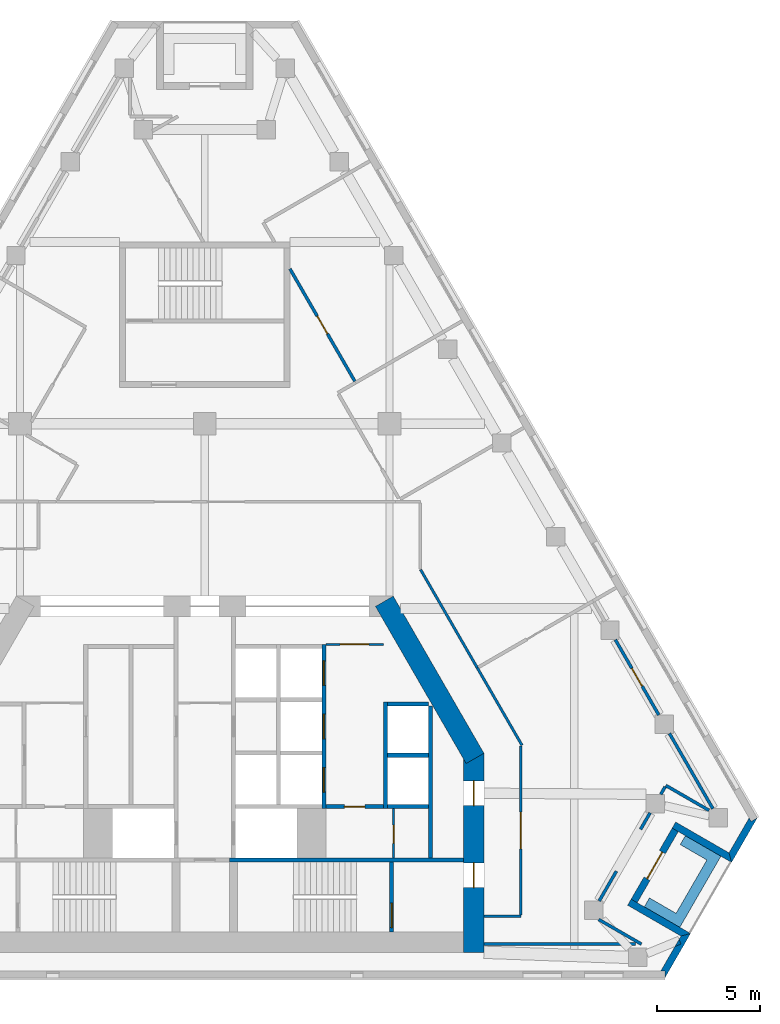
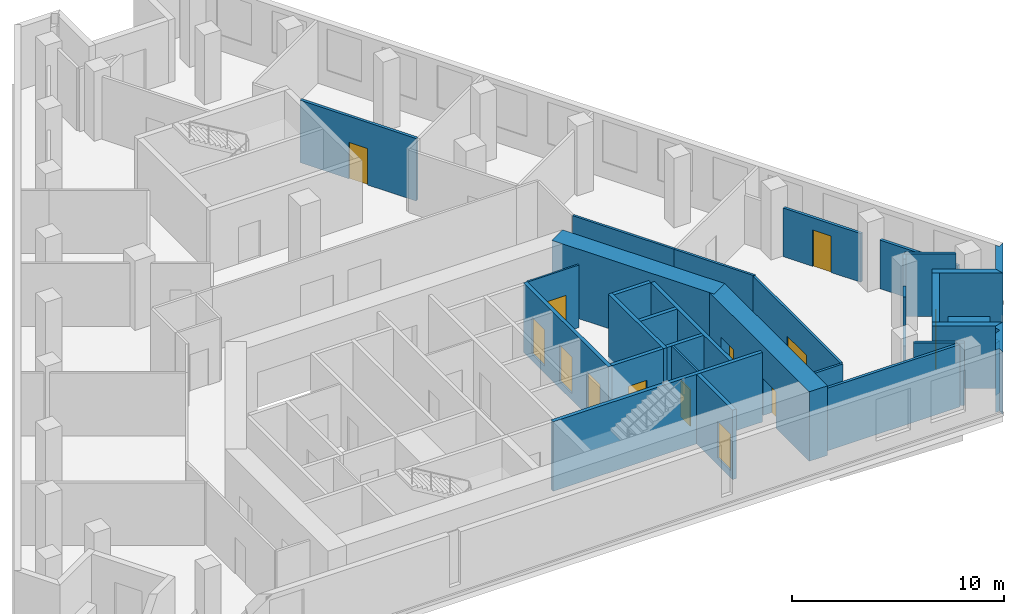
# One storey, part 5 of 8: 33 walls, 13 doors, 13 openings.
"""IFC4 building model written with IfcOpenShell, lengths in metres."""

from ifc_helpers import new_model, si_unit, direction, frame, frame_2d, origin, place, context, subcontext, project, spatial, polyline, rectangle, outline, extrude, material, layer, layer_set, type_object, element, fill, save


model = new_model("IFC4")

# Units and contexts
model_context = context("Model", 3, precision=1e-05, world=origin(), true_north=direction((0.0, 1.0)))
body_context = subcontext(model_context, "Body", "Model", "MODEL_VIEW")
ifc_project = project(units=[si_unit("LENGTHUNIT", "METRE"), si_unit("AREAUNIT", "SQUARE_METRE"), si_unit("VOLUMEUNIT", "CUBIC_METRE"), si_unit("PLANEANGLEUNIT", "RADIAN"), si_unit("MASSUNIT", "GRAM", prefix="KILO")], contexts=[model_context])

# Site, building, storey
site_placement = place(None, origin())
site = spatial("IfcSite", under=ifc_project, at=site_placement, CompositionType="ELEMENT")
building_placement = place(site_placement, origin())
building = spatial("IfcBuilding", under=site, at=building_placement, Name="Fogline Exchange Tower", CompositionType="ELEMENT")
storey_placement = place(building_placement, frame((0.0, 0.0, 223.5)))
storey = spatial("IfcBuildingStorey", under=building, at=storey_placement, Name="L50", CompositionType="ELEMENT", Elevation=223.5)

# Wall, opening, door
ifc_material_1 = material(Name="Blockwork partition", Category="masonry")
ifc_layer_1 = layer(ifc_material_1, 0.10009765625)
ifc_layer_set_1 = layer_set([ifc_layer_1], Name="CW10")
wall_type_1 = type_object("IfcWallType", Name="CW10", PredefinedType="PARTITIONING", material=ifc_layer_set_1)
wall_1_placement = place(storey_placement, frame((5.89990234375, 16.25, 0.0), z_axis=(0.0, 0.0, 1.0), x_axis=(1.0, 0.0, 0.0)))
wall_1 = element("IfcWall", 1, at=wall_1_placement, inside=storey, type_object=wall_type_1, Name="Lift lobby partition", PredefinedType="PARTITIONING", context=body_context, shape_type="SweptSolid", body=[
    extrude(rectangle(XDim=2.800048828125, YDim=0.10009765625, at=frame_2d((1.39990234375, 0.0))), origin(), (0.0, 0.0, 1.0), 3.60009765625),
])
opening_1_placement = place(wall_1_placement, frame((0.699951171875, 0.0, 0.0)))
opening_1 = element("IfcOpeningElement", 2, at=opening_1_placement, cuts=wall_1, Name="Opening T16-C012", PredefinedType="OPENING", context=body_context, shape_type="SweptSolid", body=[
    extrude(rectangle(XDim=1.39990234375, YDim=2.10009765625, at=frame_2d((0.699951171875, 1.050048828125))), frame((0.0, 0.06005859375, 0.0), z_axis=(0.0, -1.0, 0.0), x_axis=(1.0, 0.0, 0.0)), (0.0, 0.0, 1.0), 0.1201171875),
])
ifc_material_2 = material(Name="Steel and timber fire door", Category="steel")
door_type_1 = type_object("IfcDoorType", Name="D-LB1", OperationType="DOUBLE_DOOR_SINGLE_SWING", PredefinedType="DOOR", material=ifc_material_2)
door_1_placement = place(opening_1_placement, origin())
door_1 = element("IfcDoor", 3, at=door_1_placement, inside=storey, type_object=door_type_1, Name="Door to lift lobby", OperationType="DOUBLE_DOOR_SINGLE_SWING", OverallHeight=2.10009765625, OverallWidth=1.39990234375, PredefinedType="DOOR", context=body_context, shape_type="SweptSolid", body=[
    extrude(rectangle(XDim=1.39990234375, YDim=2.10009765625, at=frame_2d((0.699951171875, 1.050048828125))), frame((0.0, 0.02490234375, 0.0), z_axis=(0.0, -1.0, 0.0), x_axis=(1.0, 0.0, 0.0)), (0.0, 0.0, 1.0), 0.050048828125),
])
fill(opening_1, door_1)

wall_2_placement = place(storey_placement, frame((9.199951171875, 5.85009765625, 0.0), z_axis=(0.0, 0.0, 1.0), x_axis=(0.0, 1.0, 0.0)))
wall_2 = element("IfcWall", 4, at=wall_2_placement, inside=storey, type_object=wall_type_1, Name="WC partition", PredefinedType="PARTITIONING", context=body_context, shape_type="SweptSolid", body=[
    extrude(rectangle(XDim=2.39990234375, YDim=0.10009765625, at=frame_2d((1.199951171875, 0.0))), origin(), (0.0, 0.0, 1.0), 3.60009765625),
])
opening_2_placement = place(wall_2_placement, frame((0.699951171875, 0.0, 0.0)))
opening_2 = element("IfcOpeningElement", 5, at=opening_2_placement, cuts=wall_2, Name="Opening T16-C014", PredefinedType="OPENING", context=body_context, shape_type="SweptSolid", body=[
    extrude(rectangle(XDim=0.89990234375, YDim=2.10009765625, at=frame_2d((0.449951171875, 1.050048828125))), frame((0.0, 0.06005859375, 0.0), z_axis=(0.0, -1.0, 0.0), x_axis=(1.0, 0.0, 0.0)), (0.0, 0.0, 1.0), 0.1201171875),
])
door_type_2 = type_object("IfcDoorType", Name="D-CS1", OperationType="SINGLE_SWING_RIGHT", PredefinedType="DOOR", material=ifc_material_2)
door_2_placement = place(opening_2_placement, frame((0.89990234375, 0.0, 0.0), z_axis=(0.0, 0.0, 1.0), x_axis=(-1.0, 0.0, 0.0)))
door_2 = element("IfcDoor", 6, at=door_2_placement, inside=storey, type_object=door_type_2, Name="Door to Cleaner's Store", OperationType="SINGLE_SWING_RIGHT", OverallHeight=2.10009765625, OverallWidth=0.89990234375, PredefinedType="DOOR", context=body_context, shape_type="SweptSolid", body=[
    extrude(rectangle(XDim=0.89990234375, YDim=2.10009765625, at=frame_2d((0.449951171875, 1.050048828125))), frame((0.0, 0.02490234375, 0.0), z_axis=(0.0, -1.0, 0.0), x_axis=(1.0, 0.0, 0.0)), (0.0, 0.0, 1.0), 0.050048828125),
])
fill(opening_2, door_2)

# Wall
ifc_material_3 = material(Name="Concrete C40", Category="concrete")
ifc_layer_2 = layer(ifc_material_3, 0.199951171875)
ifc_layer_set_2 = layer_set([ifc_layer_2], Name="CW20")
wall_type_2 = type_object("IfcWallType", Name="CW20", PredefinedType="SOLIDWALL", material=ifc_layer_set_2)
wall_3_placement = place(storey_placement, frame((11.0, 5.85009765625, 0.0), z_axis=(0.0, 0.0, 1.0), x_axis=(0.0, 1.0, 0.0)))
element("IfcWall", 7, at=wall_3_placement, inside=storey, type_object=wall_type_2, Name="Service room wall", PredefinedType="SOLIDWALL", context=body_context, shape_type="SweptSolid", body=[
    extrude(rectangle(XDim=7.39990234375, YDim=0.199951171875, at=frame_2d((3.699951171875, 0.0))), origin(), (0.0, 0.0, 1.0), 3.60009765625),
])

# Wall, opening, door
wall_4_placement = place(storey_placement, frame((5.89990234375, 8.35009765625, 0.0), z_axis=(0.0, 0.0, 1.0), x_axis=(1.0, 0.0, 0.0)))
wall_4 = element("IfcWall", 8, at=wall_4_placement, inside=storey, type_object=wall_type_2, Name="WC wall", PredefinedType="SOLIDWALL", context=body_context, shape_type="SweptSolid", body=[
    extrude(rectangle(XDim=2.800048828125, YDim=0.199951171875, at=frame_2d((1.39990234375, 0.0))), origin(), (0.0, 0.0, 1.0), 3.60009765625),
])
opening_3_placement = place(wall_4_placement, frame((0.89990234375, 0.0, 0.0)))
opening_3 = element("IfcOpeningElement", 9, at=opening_3_placement, cuts=wall_4, Name="Opening T16-C013", PredefinedType="OPENING", context=body_context, shape_type="SweptSolid", body=[
    extrude(rectangle(XDim=1.0, YDim=2.10009765625, at=frame_2d((0.5, 1.050048828125))), frame((0.0, 0.10986328125, 0.0), z_axis=(0.0, -1.0, 0.0), x_axis=(1.0, 0.0, 0.0)), (0.0, 0.0, 1.0), 0.219970703125),
])
door_type_3 = type_object("IfcDoorType", Name="D-WC1", OperationType="SINGLE_SWING_LEFT", PredefinedType="DOOR", material=ifc_material_2)
door_3_placement = place(opening_3_placement, frame((1.0, 0.0, 0.0), z_axis=(0.0, 0.0, 1.0), x_axis=(-1.0, 0.0, 0.0)))
door_3 = element("IfcDoor", 10, at=door_3_placement, inside=storey, type_object=door_type_3, Name="Door to Women's WC", OperationType="SINGLE_SWING_LEFT", OverallHeight=2.10009765625, OverallWidth=1.0, PredefinedType="DOOR", context=body_context, shape_type="SweptSolid", body=[
    extrude(rectangle(XDim=1.0, YDim=2.10009765625, at=frame_2d((0.5, 1.050048828125))), frame((0.0, 0.02490234375, 0.0), z_axis=(0.0, -1.0, 0.0), x_axis=(1.0, 0.0, 0.0)), (0.0, 0.0, 1.0), 0.050048828125),
])
fill(opening_3, door_3)

# Wall
ifc_layer_3 = layer(ifc_material_3, 0.199951171875)
ifc_layer_set_3 = layer_set([ifc_layer_3], Name="CW20R")
wall_type_3 = type_object("IfcWallType", Name="CW20R", PredefinedType="SOLIDWALL", material=ifc_layer_set_3)
wall_5_placement = place(storey_placement, frame((1.199951171875, 5.75, -0.39990234375), z_axis=(0.0, 0.0, 1.0), x_axis=(1.0, 0.0, 0.0)))
element("IfcWall", 11, at=wall_5_placement, inside=storey, type_object=wall_type_3, Name="Stair enclosure wall", PredefinedType="SOLIDWALL", context=body_context, shape_type="SweptSolid", body=[
    extrude(rectangle(XDim=11.400146484375, YDim=0.199951171875, at=frame_2d((5.7001953125, 0.0))), origin(), (0.0, 0.0, 1.0), 4.0),
])

# Wall, opening, door
wall_6_placement = place(storey_placement, frame((9.10009765625, 2.25, -0.39990234375), z_axis=(0.0, 0.0, 1.0), x_axis=(0.0, 1.0, 0.0)))
wall_6 = element("IfcWall", 12, at=wall_6_placement, inside=storey, type_object=wall_type_3, Name="Stair enclosure wall", PredefinedType="SOLIDWALL", context=body_context, shape_type="SweptSolid", body=[
    extrude(rectangle(XDim=3.39990234375, YDim=0.199951171875, at=frame_2d((1.699951171875, 0.0))), origin(), (0.0, 0.0, 1.0), 4.0),
])
opening_4_placement = place(wall_6_placement, frame((0.199951171875, 0.0, 0.39990234375)))
opening_4 = element("IfcOpeningElement", 13, at=opening_4_placement, cuts=wall_6, Name="Opening T16-C016", PredefinedType="OPENING", context=body_context, shape_type="SweptSolid", body=[
    extrude(rectangle(XDim=1.199951171875, YDim=2.10009765625, at=frame_2d((0.60009765625, 1.050048828125))), frame((0.0, 0.10986328125, 0.0), z_axis=(0.0, -1.0, 0.0), x_axis=(1.0, 0.0, 0.0)), (0.0, 0.0, 1.0), 0.219970703125),
])
door_type_4 = type_object("IfcDoorType", Name="D-ST1", OperationType="SINGLE_SWING_LEFT", PredefinedType="DOOR", material=ifc_material_2)
door_4_placement = place(opening_4_placement, origin())
door_4 = element("IfcDoor", 14, at=door_4_placement, inside=storey, type_object=door_type_4, Name="Stair door ST2", OperationType="SINGLE_SWING_LEFT", OverallHeight=2.10009765625, OverallWidth=1.199951171875, PredefinedType="DOOR", context=body_context, shape_type="SweptSolid", body=[
    extrude(rectangle(XDim=1.199951171875, YDim=2.10009765625, at=frame_2d((0.60009765625, 1.050048828125))), frame((0.0, 0.02490234375, 0.0), z_axis=(0.0, -1.0, 0.0), x_axis=(1.0, 0.0, 0.0)), (0.0, 0.0, 1.0), 0.050048828125),
])
fill(opening_4, door_4)

# Wall
ifc_layer_4 = layer(ifc_material_3, 0.199951171875)
ifc_layer_set_4 = layer_set([ifc_layer_4], Name="CW20S")
wall_type_4 = type_object("IfcWallType", Name="CW20S", PredefinedType="SOLIDWALL", material=ifc_layer_set_4)
wall_7_placement = place(storey_placement, frame((8.800048828125, 8.25, -0.39990234375), z_axis=(0.0, 0.0, 1.0), x_axis=(0.0, 1.0, 0.0)))
element("IfcWall", 15, at=wall_7_placement, inside=storey, type_object=wall_type_4, Name="Lift shaft wall", PredefinedType="SOLIDWALL", context=body_context, shape_type="SweptSolid", body=[
    extrude(rectangle(XDim=5.199951171875, YDim=0.199951171875, at=frame_2d((2.60009765625, 0.0))), origin(), (0.0, 0.0, 1.0), 4.0),
])

# Wall, openings, doors
wall_8_placement = place(storey_placement, frame((5.800048828125, 8.25, -0.39990234375), z_axis=(0.0, 0.0, 1.0), x_axis=(0.0, 1.0, 0.0)))
wall_8 = element("IfcWall", 16, at=wall_8_placement, inside=storey, type_object=wall_type_4, Name="Lift shaft wall", PredefinedType="SOLIDWALL", context=body_context, shape_type="SweptSolid", body=[
    extrude(rectangle(XDim=8.0, YDim=0.199951171875, at=frame_2d((4.0, 0.0))), origin(), (0.0, 0.0, 1.0), 4.0),
])
opening_5_placement = place(wall_8_placement, frame((0.800048828125, 0.0, 0.39990234375)))
opening_5 = element("IfcOpeningElement", 17, at=opening_5_placement, cuts=wall_8, Name="Opening T16-LD02", PredefinedType="OPENING", context=body_context, shape_type="SweptSolid", body=[
    extrude(rectangle(XDim=1.199951171875, YDim=2.10009765625, at=frame_2d((0.60009765625, 1.050048828125))), frame((0.0, 0.10986328125, 0.0), z_axis=(0.0, -1.0, 0.0), x_axis=(1.0, 0.0, 0.0)), (0.0, 0.0, 1.0), 0.219970703125),
])
opening_6_placement = place(wall_8_placement, frame((3.39990234375, 0.0, 0.39990234375)))
opening_6 = element("IfcOpeningElement", 18, at=opening_6_placement, cuts=wall_8, Name="Opening T16-LD03", PredefinedType="OPENING", context=body_context, shape_type="SweptSolid", body=[
    extrude(rectangle(XDim=1.199951171875, YDim=2.10009765625, at=frame_2d((0.60009765625, 1.050048828125))), frame((0.0, 0.10986328125, 0.0), z_axis=(0.0, -1.0, 0.0), x_axis=(1.0, 0.0, 0.0)), (0.0, 0.0, 1.0), 0.219970703125),
])
opening_7_placement = place(wall_8_placement, frame((6.0, 0.0, 0.39990234375)))
opening_7 = element("IfcOpeningElement", 19, at=opening_7_placement, cuts=wall_8, Name="Opening T16-LD04", PredefinedType="OPENING", context=body_context, shape_type="SweptSolid", body=[
    extrude(rectangle(XDim=1.199951171875, YDim=2.10009765625, at=frame_2d((0.60009765625, 1.050048828125))), frame((0.0, 0.10986328125, 0.0), z_axis=(0.0, -1.0, 0.0), x_axis=(1.0, 0.0, 0.0)), (0.0, 0.0, 1.0), 0.219970703125),
])
door_type_5 = type_object("IfcDoorType", Name="LD1", OperationType="SLIDING_TO_LEFT", PredefinedType="DOOR", material=ifc_material_2)
door_5_placement = place(opening_5_placement, origin())
door_5 = element("IfcDoor", 20, at=door_5_placement, inside=storey, type_object=door_type_5, Name="Landing door MR1", OperationType="SLIDING_TO_LEFT", OverallHeight=2.10009765625, OverallWidth=1.199951171875, PredefinedType="DOOR", context=body_context, shape_type="SweptSolid", body=[
    extrude(rectangle(XDim=1.199951171875, YDim=2.10009765625, at=frame_2d((0.60009765625, 1.050048828125))), frame((0.0, 0.02490234375, 0.0), z_axis=(0.0, -1.0, 0.0), x_axis=(1.0, 0.0, 0.0)), (0.0, 0.0, 1.0), 0.050048828125),
])
fill(opening_5, door_5)
door_6_placement = place(opening_6_placement, origin())
door_6 = element("IfcDoor", 21, at=door_6_placement, inside=storey, type_object=door_type_5, Name="Landing door MR2", OperationType="SLIDING_TO_LEFT", OverallHeight=2.10009765625, OverallWidth=1.199951171875, PredefinedType="DOOR", context=body_context, shape_type="SweptSolid", body=[
    extrude(rectangle(XDim=1.199951171875, YDim=2.10009765625, at=frame_2d((0.60009765625, 1.050048828125))), frame((0.0, 0.02490234375, 0.0), z_axis=(0.0, -1.0, 0.0), x_axis=(1.0, 0.0, 0.0)), (0.0, 0.0, 1.0), 0.050048828125),
])
fill(opening_6, door_6)
door_7_placement = place(opening_7_placement, origin())
door_7 = element("IfcDoor", 22, at=door_7_placement, inside=storey, type_object=door_type_5, Name="Landing door MR3", OperationType="SLIDING_TO_LEFT", OverallHeight=2.10009765625, OverallWidth=1.199951171875, PredefinedType="DOOR", context=body_context, shape_type="SweptSolid", body=[
    extrude(rectangle(XDim=1.199951171875, YDim=2.10009765625, at=frame_2d((0.60009765625, 1.050048828125))), frame((0.0, 0.02490234375, 0.0), z_axis=(0.0, -1.0, 0.0), x_axis=(1.0, 0.0, 0.0)), (0.0, 0.0, 1.0), 0.050048828125),
])
fill(opening_7, door_7)

# Walls
for number, where, z_axis, x_axis, name in (
    (23, (8.89990234375, 8.35009765625, -0.39990234375), (0.0, 0.0, 1.0), (1.0, 0.0, 0.0), "Lift shaft wall"),
    (24, (8.89990234375, 10.85009765625, -0.39990234375), (0.0, 0.0, 1.0), (1.0, 0.0, 0.0), "Lift shaft wall"),
    (25, (8.89990234375, 13.35009765625, -0.39990234375), (0.0, 0.0, 1.0), (1.0, 0.0, 0.0), "Lift shaft wall"),
):
    element("IfcWall", number, at=place(storey_placement, frame(where, z_axis=z_axis, x_axis=x_axis)), inside=storey, type_object=wall_type_4, Name=name, PredefinedType="SOLIDWALL", context=body_context, shape_type="SweptSolid", body=[
        extrude(rectangle(XDim=2.0, YDim=0.199951171875, at=frame_2d((1.0, 0.0))), origin(), (0.0, 0.0, 1.0), 4.0),
    ])
ifc_material_4 = material(Name="Brick masonry", Category="masonry")
ifc_layer_5 = layer(ifc_material_4, 0.340087890625)
ifc_layer_set_5 = layer_set([ifc_layer_5], Name="FW1")
wall_type_5 = type_object("IfcWallType", Name="FW1", PredefinedType="SOLIDWALL", material=ifc_layer_set_5)
wall_9_placement = place(storey_placement, origin())
element("IfcWall", 26, at=wall_9_placement, inside=storey, type_object=wall_type_5, Name="Brick wall L50 SE-c1", PredefinedType="SOLIDWALL", context=body_context, shape_type="SweptSolid", body=[
    extrude(outline(polyline([(23.1044921875, 1.877197265625), (23.19775390625, 1.65087890625), (22.904052734375, 1.530029296875), (23.1044921875, 1.877197265625)])), origin(), (0.0, 0.0, 1.0), 3.0),
])
wall_10_placement = place(storey_placement, origin())
element("IfcWall", 27, at=wall_10_placement, inside=storey, type_object=wall_type_5, Name="Brick wall L50 SE-c1", PredefinedType="SOLIDWALL", context=body_context, shape_type="SweptSolid", body=[
    extrude(outline(polyline([(22.4140625, -0.001220703125), (22.41357421875, -0.0009765625), (22.41357421875, 0.33935546875), (22.216796875, 0.33935546875), (22.904052734375, 1.530029296875), (23.19775390625, 1.65087890625), (23.1044921875, 1.877197265625), (23.19921875, 2.041015625), (23.6650390625, 2.166015625), (23.665283203125, 2.165771484375), (22.4140625, -0.001220703125)])), origin(), (0.0, 0.0, 1.0), 3.60009765625),
])
wall_11_placement = place(storey_placement, origin())
element("IfcWall", 28, at=wall_11_placement, inside=storey, type_object=wall_type_5, Name="Brick wall L50 SE-s1", PredefinedType="SOLIDWALL", context=body_context, shape_type="SweptSolid", body=[
    extrude(outline(polyline([(20.600830078125, 3.540283203125), (20.771484375, 3.8359375), (21.06640625, 3.66552734375), (23.665283203125, 2.1650390625), (23.665283203125, 2.164794921875), (23.19970703125, 2.0400390625), (20.600830078125, 3.540283203125)])), origin(), (0.0, 0.0, 1.0), 3.60009765625),
])

# Wall, opening, door
wall_12_placement = place(storey_placement, frame((20.9189453125, 3.75, 0.0), z_axis=(0.0, 0.0, 1.0), x_axis=(0.49999894854, 0.866026010844, 0.0)))
wall_12 = element("IfcWall", 29, at=wall_12_placement, inside=storey, type_object=wall_type_5, Name="Brick wall L50 SE-bk", PredefinedType="SOLIDWALL", context=body_context, shape_type="SweptSolid", body=[
    extrude(rectangle(XDim=4.0, YDim=0.340087890625, at=frame_2d((2.0, 0.0))), origin(), (0.0, 0.0, 1.0), 3.60009765625),
])
opening_8_placement = place(wall_12_placement, frame((1.25, 0.0, 0.0)))
opening_8 = element("IfcOpeningElement", 30, at=opening_8_placement, cuts=wall_12, Name="Opening T16-E081", PredefinedType="OPENING", context=body_context, shape_type="SweptSolid", body=[
    extrude(rectangle(XDim=1.5, YDim=2.39990234375, at=frame_2d((0.75, 1.199951171875))), frame((0.0, 0.18017578125, 0.0), z_axis=(0.0, -1.0, 0.0), x_axis=(1.0, 0.0, 0.0)), (0.0, 0.0, 1.0), 0.360107421875),
])
ifc_material_5 = material(Name="Aluminium and glass", Category="aluminium")
door_type_6 = type_object("IfcDoorType", Name="ED4", OperationType="SINGLE_SWING_LEFT", PredefinedType="DOOR", material=ifc_material_5)
door_8_placement = place(opening_8_placement, frame((1.5, 0.0, 0.0), z_axis=(0.0, 0.0, 1.0), x_axis=(-1.0, 0.0, 0.0)))
door_8 = element("IfcDoor", 31, at=door_8_placement, inside=storey, type_object=door_type_6, Name="Balcony door L50 SE", OperationType="DOUBLE_DOOR_SINGLE_SWING", OverallHeight=2.39990234375, OverallWidth=1.5, PredefinedType="DOOR", context=body_context, shape_type="SweptSolid", body=[
    extrude(rectangle(XDim=1.5, YDim=2.39990234375, at=frame_2d((0.75, 1.199951171875))), frame((0.0, 0.02490234375, 0.0), z_axis=(0.0, -1.0, 0.0), x_axis=(1.0, 0.0, 0.0)), (0.0, 0.0, 1.0), 0.050048828125),
])
fill(opening_8, door_8)

# Walls
wall_13_placement = place(storey_placement, origin())
element("IfcWall", 32, at=wall_13_placement, inside=storey, type_object=wall_type_5, Name="Brick wall L50 SE-s2", PredefinedType="SOLIDWALL", context=body_context, shape_type="SweptSolid", body=[
    extrude(outline(polyline([(25.664794921875, 5.628173828125), (23.065673828125, 7.128662109375), (22.770751953125, 7.298828125), (22.94140625, 7.594482421875), (25.540283203125, 6.093994140625), (25.6650390625, 5.62841796875), (25.664794921875, 5.628173828125)])), origin(), (0.0, 0.0, 1.0), 3.60009765625),
])
wall_14_placement = place(storey_placement, origin())
element("IfcWall", 33, at=wall_14_placement, inside=storey, type_object=wall_type_5, Name="Brick wall L50 SE-c2", PredefinedType="SOLIDWALL", context=body_context, shape_type="SweptSolid", body=[
    extrude(outline(polyline([(26.521484375, 7.79541015625), (26.619873046875, 7.625), (26.914794921875, 7.79541015625), (26.915283203125, 7.794921875), (25.6640625, 5.6279296875), (25.663818359375, 5.6279296875), (25.5390625, 6.09375), (26.521484375, 7.79541015625)])), origin(), (0.0, 0.0, 1.0), 3.60009765625),
])
ifc_material_6 = material(Name="Concrete C30", Category="concrete")
ifc_layer_6 = layer(ifc_material_6, 0.199951171875)
ifc_layer_set_6 = layer_set([ifc_layer_6], Name="PL1")
wall_type_6 = type_object("IfcWallType", Name="PL1", PredefinedType="USERDEFINED", material=ifc_layer_set_6)
wall_15_placement = place(storey_placement, origin())
element("IfcWall", 34, at=wall_15_placement, inside=storey, type_object=wall_type_6, Name="PLANTER balcony L50 SE", ObjectType="PLANTER", PredefinedType="USERDEFINED", context=body_context, shape_type="SweptSolid", body=[
    extrude(outline(polyline([(21.41259765625, 3.465087890625), (22.71142578125, 2.715087890625), (22.71142578125, 2.715087890625), (23.14453125, 2.465087890625), (24.89453125, 5.49609375), (25.14453125, 5.92919921875), (23.41259765625, 6.92919921875), (23.16259765625, 6.49609375), (24.46142578125, 5.74609375), (22.96142578125, 3.148193359375), (21.66259765625, 3.898193359375), (21.41259765625, 3.465087890625)])), origin(), (0.0, 0.0, 1.0), 1.10009765625),
])
ifc_material_7 = material(Name="Plasterboard corridor partition with mineral wool, 2 layers each side")
ifc_layer_7 = layer(ifc_material_7, 0.125)
ifc_layer_set_7 = layer_set([ifc_layer_7], Name="PW2")
wall_type_7 = type_object("IfcWallType", Name="PW2", PredefinedType="PARTITIONING", material=ifc_layer_set_7)
wall_16_placement = place(storey_placement, frame((10.515380859375, 19.887939453125, 0.0), z_axis=(0.0, 0.0, 1.0), x_axis=(0.500018350302, -0.866014808974, 0.0)))
element("IfcWall", 35, at=wall_16_placement, inside=storey, type_object=wall_type_7, Name="wall-L50-W001", PredefinedType="PARTITIONING", context=body_context, shape_type="SweptSolid", body=[
    extrude(rectangle(XDim=5.523193359375, YDim=0.125, at=frame_2d((2.76171875, 0.0))), origin(), (0.0, 0.0, 1.0), 3.60009765625),
])
wall_17_placement = place(storey_placement, frame((13.277099609375, 15.104736328125, 0.0), z_axis=(0.0, 0.0, 1.0), x_axis=(0.500010417683, -0.866019389049, 0.0)))
element("IfcWall", 36, at=wall_17_placement, inside=storey, type_object=wall_type_7, Name="wall-L50-W002", PredefinedType="PARTITIONING", context=body_context, shape_type="SweptSolid", body=[
    extrude(rectangle(XDim=4.3544921875, YDim=0.125, at=frame_2d((2.17724609375, 0.0))), origin(), (0.0, 0.0, 1.0), 3.60009765625),
])

# Wall, opening, door
wall_18_placement = place(storey_placement, frame((15.39990234375, 11.302734375, 0.0), z_axis=(0.0, 0.0, 1.0), x_axis=(0.0, -1.0, 0.0)))
wall_18 = element("IfcWall", 37, at=wall_18_placement, inside=storey, type_object=wall_type_7, Name="wall-L50-W003", PredefinedType="PARTITIONING", context=body_context, shape_type="SweptSolid", body=[
    extrude(rectangle(XDim=8.240234375, YDim=0.125, at=frame_2d((4.1201171875, 0.0))), origin(), (0.0, 0.0, 1.0), 3.60009765625),
])
opening_9_placement = place(wall_18_placement, frame((3.22021484375, 0.0, 0.0)))
opening_9 = element("IfcOpeningElement", 38, at=opening_9_placement, cuts=wall_18, Name="Opening T16-D001", PredefinedType="OPENING", context=body_context, shape_type="SweptSolid", body=[
    extrude(rectangle(XDim=1.800048828125, YDim=2.10009765625, at=frame_2d((0.89990234375, 1.050048828125))), frame((0.0, 0.072509765625, 0.0), z_axis=(0.0, -1.0, 0.0), x_axis=(1.0, 0.0, 0.0)), (0.0, 0.0, 1.0), 0.14501953125),
])
ifc_material_8 = material(Name="Fire-rated timber door leaves with steel frame", Category="steel")
door_type_7 = type_object("IfcDoorType", Name="D4", OperationType="DOUBLE_DOOR_SINGLE_SWING", PredefinedType="DOOR", material=ifc_material_8)
door_9_placement = place(opening_9_placement, frame((1.800048828125, 0.0, 0.0), z_axis=(0.0, 0.0, 1.0), x_axis=(-1.0, 0.0, 0.0)))
door_9 = element("IfcDoor", 39, at=door_9_placement, inside=storey, type_object=door_type_7, Name="door-L50-D001", OperationType="DOUBLE_DOOR_SINGLE_SWING", OverallHeight=2.10009765625, OverallWidth=1.800048828125, PredefinedType="DOOR", context=body_context, shape_type="SweptSolid", body=[
    extrude(rectangle(XDim=1.800048828125, YDim=2.10009765625, at=frame_2d((0.89990234375, 1.050048828125))), frame((0.0, 0.02490234375, 0.0), z_axis=(0.0, -1.0, 0.0), x_axis=(1.0, 0.0, 0.0)), (0.0, 0.0, 1.0), 0.050048828125),
])
fill(opening_9, door_9)

# Wall
wall_19_placement = place(storey_placement, frame((15.39990234375, 3.0, 0.0), z_axis=(0.0, 0.0, 1.0), x_axis=(-1.0, 0.0, 0.0)))
element("IfcWall", 40, at=wall_19_placement, inside=storey, type_object=wall_type_7, Name="wall-L50-W004", PredefinedType="PARTITIONING", context=body_context, shape_type="SweptSolid", body=[
    extrude(rectangle(XDim=1.7998046875, YDim=0.125, at=frame_2d((0.89990234375, 0.0))), origin(), (0.0, 0.0, 1.0), 3.60009765625),
])

# Wall, opening, door
ifc_material_9 = material(Name="Plasterboard demising partition with mineral wool and acoustic board")
ifc_layer_8 = layer(ifc_material_9, 0.14990234375)
ifc_layer_set_8 = layer_set([ifc_layer_8], Name="PW3")
wall_type_8 = type_object("IfcWallType", Name="PW3", PredefinedType="PARTITIONING", material=ifc_layer_set_8)
wall_20_placement = place(storey_placement, frame((7.311279296875, 29.0673828125, 0.0), z_axis=(0.0, 0.0, 1.0), x_axis=(-0.500005449195, 0.866022257668, 0.0)))
wall_20 = element("IfcWall", 41, at=wall_20_placement, inside=storey, type_object=wall_type_8, Name="wall-L50-W026", PredefinedType="PARTITIONING", context=body_context, shape_type="SweptSolid", body=[
    extrude(rectangle(XDim=6.32275390625, YDim=0.14990234375, at=frame_2d((3.161376953125, 0.0))), origin(), (0.0, 0.0, 1.0), 3.60009765625),
])
opening_10_placement = place(wall_20_placement, frame((2.661376953125, 0.0, 0.0)))
opening_10 = element("IfcOpeningElement", 42, at=opening_10_placement, cuts=wall_20, Name="Opening T16-D009", PredefinedType="OPENING", context=body_context, shape_type="SweptSolid", body=[
    extrude(rectangle(XDim=1.0, YDim=2.10009765625, at=frame_2d((0.5, 1.050048828125))), frame((0.0, 0.0849609375, 0.0), z_axis=(0.0, -1.0, 0.0), x_axis=(1.0, 0.0, 0.0)), (0.0, 0.0, 1.0), 0.169921875),
])
ifc_material_10 = material(Name="Fire-rated timber door leaf with steel frame", Category="steel")
door_type_8 = type_object("IfcDoorType", Name="D3", OperationType="SINGLE_SWING_LEFT", PredefinedType="DOOR", material=ifc_material_10)
door_10_placement = place(opening_10_placement, frame((1.0, 0.0, 0.0), z_axis=(0.0, 0.0, 1.0), x_axis=(-1.0, 0.0, 0.0)))
door_10 = element("IfcDoor", 43, at=door_10_placement, inside=storey, type_object=door_type_8, Name="door-L50-D009", OperationType="SINGLE_SWING_RIGHT", OverallHeight=2.10009765625, OverallWidth=1.0, PredefinedType="DOOR", context=body_context, shape_type="SweptSolid", body=[
    extrude(rectangle(XDim=1.0, YDim=2.10009765625, at=frame_2d((0.5, 1.050048828125))), frame((0.0, 0.02490234375, 0.0), z_axis=(0.0, -1.0, 0.0), x_axis=(1.0, 0.0, 0.0)), (0.0, 0.0, 1.0), 0.050048828125),
])
fill(opening_10, door_10)

# Walls
wall_21_placement = place(storey_placement, frame((13.60009765625, 1.64501953125, 0.0), z_axis=(0.0, 0.0, 1.0), x_axis=(1.0, 0.0, 0.0)))
element("IfcWall", 44, at=wall_21_placement, inside=storey, type_object=wall_type_8, Name="wall-L50-W045", PredefinedType="PARTITIONING", context=body_context, shape_type="SweptSolid", body=[
    extrude(rectangle(XDim=7.39453125, YDim=0.14990234375, at=frame_2d((3.697265625, 0.0))), origin(), (0.0, 0.0, 1.0), 3.60009765625),
])
wall_22_placement = place(storey_placement, frame((21.27490234375, 1.64501953125, 0.0), z_axis=(0.0, 0.0, 1.0), x_axis=(-0.866013374876, 0.500020834101, 0.0)))
element("IfcWall", 45, at=wall_22_placement, inside=storey, type_object=wall_type_8, Name="wall-L50-W046", PredefinedType="PARTITIONING", context=body_context, shape_type="SweptSolid", body=[
    extrude(rectangle(XDim=2.408203125, YDim=0.14990234375, at=frame_2d((1.2041015625, 0.0))), origin(), (0.0, 0.0, 1.0), 3.60009765625),
])
wall_23_placement = place(storey_placement, frame((19.215087890625, 3.7490234375, 0.0), z_axis=(0.0, 0.0, 1.0), x_axis=(0.499957569697, 0.866049899545, 0.0)))
element("IfcWall", 46, at=wall_23_placement, inside=storey, type_object=wall_type_8, Name="wall-L50-W047", PredefinedType="PARTITIONING", context=body_context, shape_type="SweptSolid", body=[
    extrude(rectangle(XDim=1.677978515625, YDim=0.14990234375, at=frame_2d((0.8388671875, 0.0))), origin(), (0.0, 0.0, 1.0), 2.800048828125),
])
wall_24_placement = place(storey_placement, frame((21.22900390625, 7.2373046875, 0.0), z_axis=(0.0, 0.0, 1.0), x_axis=(0.499911261671, 0.866076630821, 0.0)))
element("IfcWall", 47, at=wall_24_placement, inside=storey, type_object=wall_type_8, Name="wall-L50-W048", PredefinedType="PARTITIONING", context=body_context, shape_type="SweptSolid", body=[
    extrude(rectangle(XDim=0.932861328125, YDim=0.14990234375, at=frame_2d((0.46630859375, 0.0))), origin(), (0.0, 0.0, 1.0), 2.800048828125),
])
wall_25_placement = place(storey_placement, frame((22.215087890625, 8.9453125, 0.0), z_axis=(0.0, 0.0, 1.0), x_axis=(0.500239102084, 0.865887314115, 0.0)))
element("IfcWall", 48, at=wall_25_placement, inside=storey, type_object=wall_type_8, Name="wall-L50-W049", PredefinedType="PARTITIONING", context=body_context, shape_type="SweptSolid", body=[
    extrude(rectangle(XDim=0.422607421875, YDim=0.14990234375, at=frame_2d((0.21142578125, 0.0))), origin(), (0.0, 0.0, 1.0), 3.60009765625),
])
wall_26_placement = place(storey_placement, frame((22.4638671875, 9.376220703125, 0.0), z_axis=(0.0, 0.0, 1.0), x_axis=(0.866029721018, -0.499992522257, 0.0)))
element("IfcWall", 49, at=wall_26_placement, inside=storey, type_object=wall_type_8, Name="wall-L50-W050", PredefinedType="PARTITIONING", context=body_context, shape_type="SweptSolid", body=[
    extrude(rectangle(XDim=2.42578125, YDim=0.14990234375, at=frame_2d((1.212890625, 0.0))), origin(), (0.0, 0.0, 1.0), 3.60009765625),
])
wall_27_placement = place(storey_placement, frame((24.7548828125, 8.244140625, 0.0), z_axis=(0.0, 0.0, 1.0), x_axis=(-0.499990325971, 0.866030989016, 0.0)))
element("IfcWall", 50, at=wall_27_placement, inside=storey, type_object=wall_type_8, Name="wall-L50-W051", PredefinedType="PARTITIONING", context=body_context, shape_type="SweptSolid", body=[
    extrude(rectangle(XDim=4.23388671875, YDim=0.14990234375, at=frame_2d((2.116943359375, 0.0))), origin(), (0.0, 0.0, 1.0), 2.800048828125),
])

# Wall, opening, door
wall_28_placement = place(storey_placement, frame((22.118408203125, 12.810791015625, 0.0), z_axis=(0.0, 0.0, 1.0), x_axis=(-0.500015295222, 0.866016572904, 0.0)))
wall_28 = element("IfcWall", 51, at=wall_28_placement, inside=storey, type_object=wall_type_8, Name="wall-L50-W052", PredefinedType="PARTITIONING", context=body_context, shape_type="SweptSolid", body=[
    extrude(rectangle(XDim=4.233642578125, YDim=0.14990234375, at=frame_2d((2.11669921875, 0.0))), origin(), (0.0, 0.0, 1.0), 2.800048828125),
])
opening_11_placement = place(wall_28_placement, frame((1.616943359375, 0.0, 0.0)))
opening_11 = element("IfcOpeningElement", 52, at=opening_11_placement, cuts=wall_28, Name="Opening T16-D014", PredefinedType="OPENING", context=body_context, shape_type="SweptSolid", body=[
    extrude(rectangle(XDim=1.0, YDim=2.10009765625, at=frame_2d((0.5, 1.050048828125))), frame((0.0, 0.0849609375, 0.0), z_axis=(0.0, -1.0, 0.0), x_axis=(1.0, 0.0, 0.0)), (0.0, 0.0, 1.0), 0.169921875),
])
door_11_placement = place(opening_11_placement, frame((1.0, 0.0, 0.0), z_axis=(0.0, 0.0, 1.0), x_axis=(-1.0, 0.0, 0.0)))
door_11 = element("IfcDoor", 53, at=door_11_placement, inside=storey, type_object=door_type_8, Name="door-L50-D014", OperationType="SINGLE_SWING_LEFT", OverallHeight=2.10009765625, OverallWidth=1.0, PredefinedType="DOOR", context=body_context, shape_type="SweptSolid", body=[
    extrude(rectangle(XDim=1.0, YDim=2.10009765625, at=frame_2d((0.5, 1.050048828125))), frame((0.0, 0.02490234375, 0.0), z_axis=(0.0, -1.0, 0.0), x_axis=(1.0, 0.0, 0.0)), (0.0, 0.0, 1.0), 0.050048828125),
])
fill(opening_11, door_11)

# Wall, openings, doors
ifc_material_11 = material(Name="Concrete C60", Category="concrete")
ifc_layer_9 = layer(ifc_material_11, 1.0)
ifc_layer_set_9 = layer_set([ifc_layer_9], Name="SW03")
wall_type_9 = type_object("IfcWallType", Name="SW03", PredefinedType="SHEAR", material=ifc_layer_set_9)
wall_29_placement = place(storey_placement, frame((13.10009765625, 1.25, 0.0), z_axis=(0.0, 0.0, 1.0), x_axis=(0.0, 1.0, 0.0)))
wall_29 = element("IfcWall", 54, at=wall_29_placement, inside=storey, type_object=wall_type_9, Name="L50-W902", PredefinedType="SHEAR", context=body_context, shape_type="SweptSolid", body=[
    extrude(rectangle(XDim=9.6953125, YDim=1.0, at=frame_2d((4.84765625, 0.0))), origin(), (0.0, 0.0, 1.0), 4.0),
])
opening_12_placement = place(wall_29_placement, frame((3.14990234375, 0.0, 0.0)))
opening_12 = element("IfcOpeningElement", 55, at=opening_12_placement, cuts=wall_29, Name="Opening T16-C015", PredefinedType="OPENING", context=body_context, shape_type="SweptSolid", body=[
    extrude(rectangle(XDim=1.199951171875, YDim=2.10009765625, at=frame_2d((0.60009765625, 1.050048828125))), frame((0.0, 0.510009765625, 0.0), z_axis=(0.0, -1.0, 0.0), x_axis=(1.0, 0.0, 0.0)), (0.0, 0.0, 1.0), 1.02001953125),
])
opening_13_placement = place(wall_29_placement, frame((7.14990234375, 0.0, 0.0)))
opening_13 = element("IfcOpeningElement", 56, at=opening_13_placement, cuts=wall_29, Name="Opening T16-C017", PredefinedType="OPENING", context=body_context, shape_type="SweptSolid", body=[
    extrude(rectangle(XDim=1.199951171875, YDim=2.10009765625, at=frame_2d((0.60009765625, 1.050048828125))), frame((0.0, 0.510009765625, 0.0), z_axis=(0.0, -1.0, 0.0), x_axis=(1.0, 0.0, 0.0)), (0.0, 0.0, 1.0), 1.02001953125),
])
door_type_9 = type_object("IfcDoorType", Name="D-FR1", OperationType="SINGLE_SWING_RIGHT", PredefinedType="DOOR", material=ifc_material_2)
door_12_placement = place(opening_12_placement, origin())
door_12 = element("IfcDoor", 57, at=door_12_placement, inside=storey, type_object=door_type_9, Name="Front room door ST2", OperationType="SINGLE_SWING_RIGHT", OverallHeight=2.10009765625, OverallWidth=1.199951171875, PredefinedType="DOOR", context=body_context, shape_type="SweptSolid", body=[
    extrude(rectangle(XDim=1.199951171875, YDim=2.10009765625, at=frame_2d((0.60009765625, 1.050048828125))), frame((0.0, 0.02490234375, 0.0), z_axis=(0.0, -1.0, 0.0), x_axis=(1.0, 0.0, 0.0)), (0.0, 0.0, 1.0), 0.050048828125),
])
fill(opening_12, door_12)
door_type_10 = type_object("IfcDoorType", Name="D-SV1", OperationType="SINGLE_SWING_LEFT", PredefinedType="DOOR", material=ifc_material_2)
door_13_placement = place(opening_13_placement, origin())
door_13 = element("IfcDoor", 58, at=door_13_placement, inside=storey, type_object=door_type_10, Name="Service door E", OperationType="SINGLE_SWING_RIGHT", OverallHeight=2.10009765625, OverallWidth=1.199951171875, PredefinedType="DOOR", context=body_context, shape_type="SweptSolid", body=[
    extrude(rectangle(XDim=1.199951171875, YDim=2.10009765625, at=frame_2d((0.60009765625, 1.050048828125))), frame((0.0, 0.02490234375, 0.0), z_axis=(0.0, -1.0, 0.0), x_axis=(1.0, 0.0, 0.0)), (0.0, 0.0, 1.0), 0.050048828125),
])
fill(opening_13, door_13)

# Wall
wall_30_placement = place(storey_placement, frame((13.1669921875, 10.6953125, 0.0), z_axis=(0.0, 0.0, 1.0), x_axis=(-0.499995021168, 0.866028278295, 0.0)))
element("IfcWall", 59, at=wall_30_placement, inside=storey, type_object=wall_type_9, Name="L50-W903", PredefinedType="SHEAR", context=body_context, shape_type="SweptSolid", body=[
    extrude(rectangle(XDim=8.8388671875, YDim=1.0, at=frame_2d((4.41943359375, 0.0))), origin(), (0.0, 0.0, 1.0), 4.0),
])

save(model, "model.ifc")
